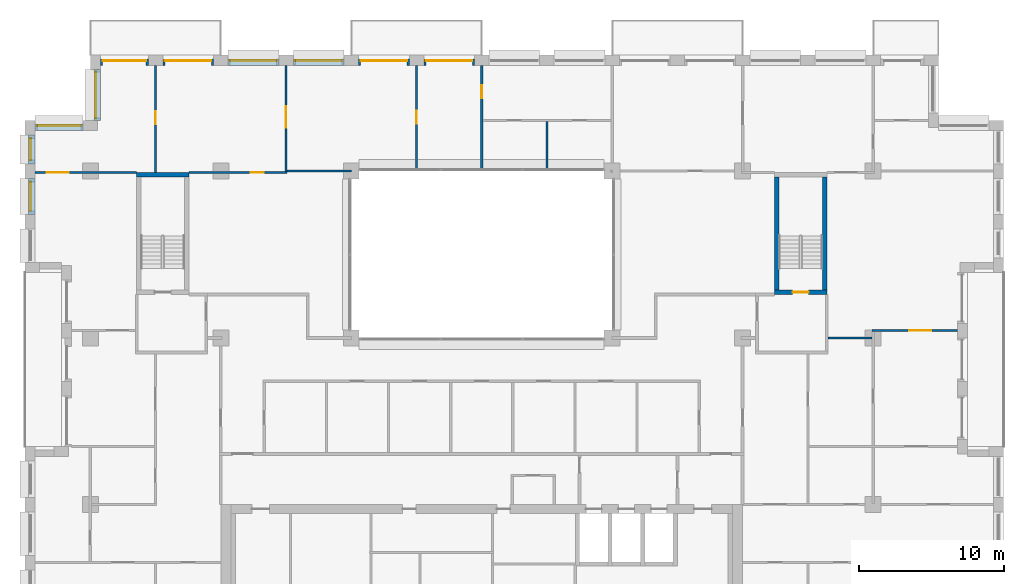
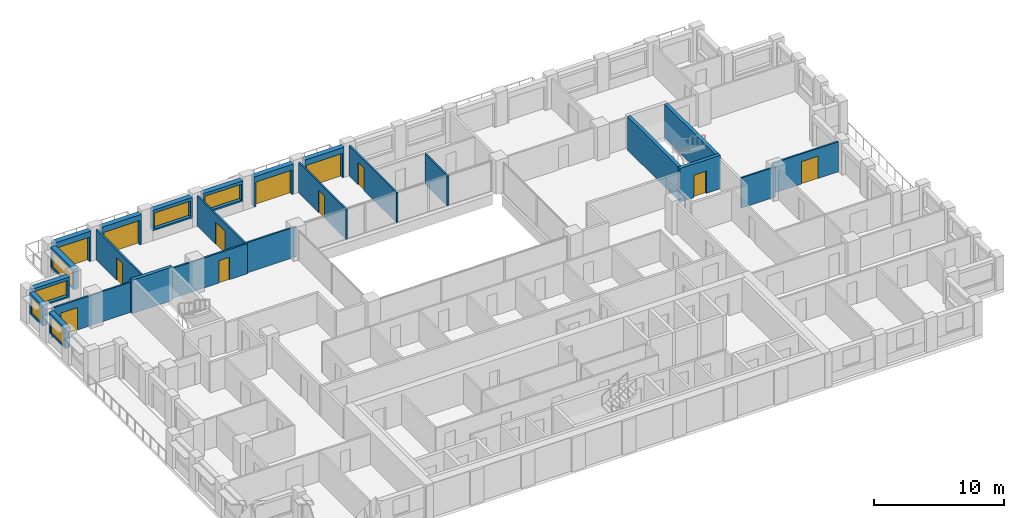
# One storey, part 12 of 15: 24 walls, 12 doors, 6 windows, 18 openings.
"""IFC4 building model written with IfcOpenShell, lengths in metres."""

import ifcopenshell
import ifcopenshell.guid

model = None  # the IFC model being written
_history = None  # IfcOwnerHistory: only IFC2X3 demands one
_inside = {}  # id of a spatial element -> (the spatial element, [elements in it])
_under = {}  # id of a project, library or spatial element -> (it, [spatial elements below it])
_declared = {}  # id of a project -> (the project, [libraries it declares])
_typed = {}  # id of a type object -> (the type object, [elements of that type])
_made_of = {}  # id of a material, layer set ... -> (it, [elements and type objects made of it])


def new_model(schema):
    """Start an empty IFC model of exactly this schema.

    Asked for "IFC4X3", IfcOpenShell would pick the latest addendum, in which some entities
    have other attributes; the version numbers below select the first issue.
    IFC2X3 requires an IfcOwnerHistory on every rooted entity: one is made here for all.
    """
    global model, _history
    if schema == "IFC4X3":
        model = ifcopenshell.file(schema_version=(4, 3, 0, 0))
    else:
        model = ifcopenshell.file(schema=schema)
    _inside.clear()
    _under.clear()
    _declared.clear()
    _typed.clear()
    _made_of.clear()
    _history = None
    if model.schema == "IFC2X3":
        org = make("IfcOrganization", Name="unknown")
        user = make(
            "IfcPersonAndOrganization",
            ThePerson=make("IfcPerson", FamilyName="unknown"),
            TheOrganization=org,
        )
        app = make(
            "IfcApplication",
            ApplicationDeveloper=org,
            Version="unknown",
            ApplicationFullName="unknown",
            ApplicationIdentifier="unknown",
        )
        _history = make(
            "IfcOwnerHistory",
            OwningUser=user,
            OwningApplication=app,
            ChangeAction="ADDED",
            CreationDate=0,
        )
    return model


def make(cls, **values):
    """One entity of the class cls with the attributes given. An attribute that is None is left unset."""
    return model.create_entity(
        cls, **{name: value for name, value in values.items() if value is not None}
    )


def rooted(cls, **values):
    """An entity with a GlobalId (a new one), such as an element, a storey or a relation."""
    return make(cls, GlobalId=ifcopenshell.guid.new(), OwnerHistory=_history, **values)


def si_unit(unit_type, name, prefix=None):
    """IfcSIUnit, for example si_unit("LENGTHUNIT", "METRE", prefix="MILLI")."""
    return make("IfcSIUnit", UnitType=unit_type, Prefix=prefix, Name=name)


def assignment(units):
    """IfcUnitAssignment: the units of a project."""
    return None if units is None else make("IfcUnitAssignment", Units=units)


def point(xyz):
    """IfcCartesianPoint."""
    return None if xyz is None else make("IfcCartesianPoint", Coordinates=xyz)


def direction(xyz):
    """IfcDirection."""
    return None if xyz is None else make("IfcDirection", DirectionRatios=xyz)


def frame(location, z_axis=None, x_axis=None):
    """IfcAxis2Placement3D, a coordinate frame: its origin and axes. An axis left out is left unset."""
    return make(
        "IfcAxis2Placement3D",
        Location=point(location),
        Axis=direction(z_axis),
        RefDirection=direction(x_axis),
    )


def frame_2d(location, x_axis=None):
    """IfcAxis2Placement2D, a coordinate frame in the plane: its origin and x axis."""
    return make(
        "IfcAxis2Placement2D", Location=point(location), RefDirection=direction(x_axis)
    )


def origin():
    """The frame at (0, 0, 0) with its axes left unset."""
    return frame((0.0, 0.0, 0.0))


def place(relative_to, where):
    """IfcLocalPlacement: puts the frame where relative to a parent placement (None: the world)."""
    return make(
        "IfcLocalPlacement", PlacementRelTo=relative_to, RelativePlacement=where
    )


def context(
    kind, dimensions, precision=None, world=None, true_north=None, identifier=None
):
    """IfcGeometricRepresentationContext, for example the 3D "Model" context."""
    return make(
        "IfcGeometricRepresentationContext",
        ContextIdentifier=identifier,
        ContextType=kind,
        CoordinateSpaceDimension=dimensions,
        Precision=precision,
        WorldCoordinateSystem=world,
        TrueNorth=true_north,
    )


def subcontext(parent, identifier, kind, view, scale=None):
    """IfcGeometricRepresentationSubContext, for example "Body" below "Model"."""
    return make(
        "IfcGeometricRepresentationSubContext",
        ContextIdentifier=identifier,
        ContextType=kind,
        ParentContext=parent,
        TargetScale=scale,
        TargetView=view,
    )


def project(units=None, contexts=None):
    """IfcProject with its units and contexts."""
    return rooted(
        "IfcProject",
        Name="project",
        RepresentationContexts=contexts,
        UnitsInContext=assignment(units),
    )


def spatial(cls, under=None, at=None, **own):
    """A site, building, storey or space (cls), placed at a placement, below another one or the project."""
    s = rooted(cls, ObjectPlacement=at, **own)
    if under is not None:
        _under.setdefault(under.id(), (under, []))[1].append(s)
    return s


def profile(cls, at=None, kind="AREA", **sizes):
    """A parametric profile (cls). Its sizes go by their IFC names, for example OverallWidth=200.0."""
    return make(cls, ProfileType=kind, Position=at, **sizes)


def rectangle(**sizes):
    """IfcRectangleProfileDef."""
    return profile("IfcRectangleProfileDef", **sizes)


def extrude(swept, where, along, depth):
    """IfcExtrudedAreaSolid: the profile swept, set in the frame where, extruded along a direction by depth."""
    return make(
        "IfcExtrudedAreaSolid",
        SweptArea=swept,
        Position=where,
        ExtrudedDirection=direction(along),
        Depth=depth,
    )


def shape(context_of_items, identifier, shape_type, items):
    """IfcShapeRepresentation: the items that make up one representation, for example the "Body"."""
    return make(
        "IfcShapeRepresentation",
        ContextOfItems=context_of_items,
        RepresentationIdentifier=identifier,
        RepresentationType=shape_type,
        Items=items,
    )


def material(Name=None, Category=None):
    """IfcMaterial."""
    return make("IfcMaterial", Name=Name, Category=Category)


def layer(
    of_material, thickness, ventilated=None, Name=None, Category=None, Priority=None
):
    """IfcMaterialLayer: one layer of a wall or slab, of a material (None: an air gap)."""
    return make(
        "IfcMaterialLayer",
        Material=of_material,
        LayerThickness=thickness,
        IsVentilated=ventilated,
        Name=Name,
        Category=Category,
        Priority=Priority,
    )


def layer_set(layers, Name=None):
    """IfcMaterialLayerSet."""
    return make("IfcMaterialLayerSet", MaterialLayers=layers, LayerSetName=Name)


def made_of(thing, what):
    """Note that an element or type object is made of a material, layer set ...; save() writes the relation."""
    if what is not None:
        _made_of.setdefault(what.id(), (what, []))[1].append(thing)
    return thing


def type_object(cls, material=None, **own):
    """A type object (cls), such as IfcWallType, which elements share."""
    return made_of(rooted(cls, **own), material)


def element(
    cls,
    number,
    at=None,
    inside=None,
    cuts=None,
    type_object=None,
    material=None,
    context=None,
    identifier="Body",
    shape_type=None,
    held_by="IfcProductDefinitionShape",
    body=None,
    shapes=None,
    **own,
):
    """One element of the class cls, such as IfcWall. Its Tag is "e" and its number.

    at: its placement. inside: the storey or other place that contains it. cuts: it is an
    opening in that element (IfcRelVoidsElement). A single representation is given by context,
    identifier, shape_type and body (its items); several are given by shapes. held_by: the class
    of the entity that holds the representations. save() writes the other relations.
    """
    e = rooted(cls, Tag="e%d" % number, ObjectPlacement=at, **own)
    if body is not None:
        shapes = [shape(context, identifier, shape_type, body)]
    if shapes is not None:
        e.Representation = make(held_by, Representations=shapes)
    if inside is not None:
        _inside.setdefault(inside.id(), (inside, []))[1].append(e)
    if cuts is not None:
        rooted(
            "IfcRelVoidsElement", RelatingBuildingElement=cuts, RelatedOpeningElement=e
        )
    if type_object is not None:
        _typed.setdefault(type_object.id(), (type_object, []))[1].append(e)
    return made_of(e, material)


def fill(opening, filler):
    """IfcRelFillsElement: the door or window that sits in an opening."""
    return rooted(
        "IfcRelFillsElement",
        RelatingOpeningElement=opening,
        RelatedBuildingElement=filler,
    )


def aggregate(whole, parts):
    """IfcRelAggregates: a whole, such as a stair, and the parts it consists of."""
    return rooted("IfcRelAggregates", RelatingObject=whole, RelatedObjects=parts)


def save(model, path):
    """Write the relations noted so far, then the file.

    IfcRelAggregates (storeys below a building ...), IfcRelContainedInSpatialStructure (elements
    in a storey), IfcRelDefinesByType, IfcRelAssociatesMaterial and IfcRelDeclares: one each for
    every whole, place, type object, material and project.
    """
    for whole, parts in _under.values():
        aggregate(whole, parts)
    for where, things in _inside.values():
        rooted(
            "IfcRelContainedInSpatialStructure",
            RelatedElements=things,
            RelatingStructure=where,
        )
    for kind, things in _typed.values():
        rooted("IfcRelDefinesByType", RelatedObjects=things, RelatingType=kind)
    for what, things in _made_of.values():
        rooted("IfcRelAssociatesMaterial", RelatedObjects=things, RelatingMaterial=what)
    for by, libraries in _declared.values():
        rooted("IfcRelDeclares", RelatingContext=by, RelatedDefinitions=libraries)
    model.write(path)


model = new_model("IFC4")

# Units and contexts
model_context = context("Model", 3, precision=1e-05, world=origin(), true_north=direction((0.0, 1.0)))
body_context = subcontext(model_context, "Body", "Model", "MODEL_VIEW")
ifc_project = project(units=[si_unit("LENGTHUNIT", "METRE"), si_unit("AREAUNIT", "SQUARE_METRE"), si_unit("VOLUMEUNIT", "CUBIC_METRE"), si_unit("PLANEANGLEUNIT", "RADIAN"), si_unit("MASSUNIT", "GRAM", prefix="KILO")], contexts=[model_context])

# Site, building, storey
site_placement = place(None, origin())
site = spatial("IfcSite", under=ifc_project, at=site_placement, CompositionType="ELEMENT")
building_placement = place(site_placement, origin())
building = spatial("IfcBuilding", under=site, at=building_placement, Name="Brigalow Station Residences", CompositionType="ELEMENT")
storey_placement = place(building_placement, frame((0.0, 0.0, 172.800048828125)))
storey = spatial("IfcBuildingStorey", under=building, at=storey_placement, Name="L50", CompositionType="ELEMENT", Elevation=172.800048828125)

# Wall, opening, door
ifc_material_1 = material(Name="Clay brick masonry", Category="masonry")
ifc_layer_1 = layer(ifc_material_1, 0.449951171875)
ifc_layer_set_1 = layer_set([ifc_layer_1], Name="BRICK INFILL WALL 450")
wall_type_1 = type_object("IfcWallType", Name="BRICK INFILL WALL 450", PredefinedType="SOLIDWALL", material=ifc_layer_set_1)
wall_1_placement = place(storey_placement, frame((35.5, 43.02490234375, 0.0), z_axis=(0.0, 0.0, 1.0), x_axis=(-1.0, 0.0, 0.0)))
wall_1 = element("IfcWall", 1, at=wall_1_placement, inside=storey, type_object=wall_type_1, Name="L50/ewall/W-L50-29", PredefinedType="SOLIDWALL", context=body_context, shape_type="SweptSolid", body=[
    extrude(rectangle(XDim=3.5, YDim=0.449951171875, at=frame_2d((1.75, 0.0))), origin(), (0.0, 0.0, 1.0), 2.829833984375),
])
opening_1_placement = place(wall_1_placement, frame((0.14990234375, 0.0, 0.0)))
opening_1 = element("IfcOpeningElement", 2, at=opening_1_placement, cuts=wall_1, Name="Opening D-B3200", PredefinedType="OPENING", context=body_context, shape_type="SweptSolid", body=[
    extrude(rectangle(XDim=3.199951171875, YDim=2.300048828125, at=frame_2d((1.60009765625, 1.14990234375))), frame((0.0, 0.23486328125, 0.0), z_axis=(0.0, -1.0, 0.0), x_axis=(1.0, 0.0, 0.0)), (0.0, 0.0, 1.0), 0.469970703125),
])
ifc_material_2 = material(Name="Anodised aluminium frame with double glazing", Category="aluminium")
door_type_1 = type_object("IfcDoorType", Name="BALCONY SLIDING DOOR 3200x2300", OperationType="SLIDING_TO_LEFT", PredefinedType="DOOR", material=ifc_material_2)
door_1_placement = place(opening_1_placement, origin())
door_1 = element("IfcDoor", 3, at=door_1_placement, inside=storey, type_object=door_type_1, Name="L50/balcony-door/W-L50-29", OperationType="SLIDING_TO_LEFT", OverallHeight=2.300048828125, OverallWidth=3.199951171875, PredefinedType="DOOR", context=body_context, shape_type="SweptSolid", body=[
    extrude(rectangle(XDim=3.199951171875, YDim=2.300048828125, at=frame_2d((1.60009765625, 1.14990234375))), frame((0.0, -0.06982421875, 0.0), z_axis=(0.0, -1.0, 0.0), x_axis=(1.0, 0.0, 0.0)), (0.0, 0.0, 1.0), 0.050048828125),
])
fill(opening_1, door_1)

wall_2_placement = place(storey_placement, frame((31.0, 43.02490234375, 0.0), z_axis=(0.0, 0.0, 1.0), x_axis=(-1.0, 0.0, 0.0)))
wall_2 = element("IfcWall", 4, at=wall_2_placement, inside=storey, type_object=wall_type_1, Name="L50/ewall/W-L50-30", PredefinedType="SOLIDWALL", context=body_context, shape_type="SweptSolid", body=[
    extrude(rectangle(XDim=3.5, YDim=0.449951171875, at=frame_2d((1.75, 0.0))), origin(), (0.0, 0.0, 1.0), 2.829833984375),
])
opening_2_placement = place(wall_2_placement, frame((0.14990234375, 0.0, 0.0)))
opening_2 = element("IfcOpeningElement", 5, at=opening_2_placement, cuts=wall_2, Name="Opening D-B3200", PredefinedType="OPENING", context=body_context, shape_type="SweptSolid", body=[
    extrude(rectangle(XDim=3.199951171875, YDim=2.300048828125, at=frame_2d((1.60009765625, 1.14990234375))), frame((0.0, 0.23486328125, 0.0), z_axis=(0.0, -1.0, 0.0), x_axis=(1.0, 0.0, 0.0)), (0.0, 0.0, 1.0), 0.469970703125),
])
door_2_placement = place(opening_2_placement, origin())
door_2 = element("IfcDoor", 6, at=door_2_placement, inside=storey, type_object=door_type_1, Name="L50/balcony-door/W-L50-30", OperationType="SLIDING_TO_LEFT", OverallHeight=2.300048828125, OverallWidth=3.199951171875, PredefinedType="DOOR", context=body_context, shape_type="SweptSolid", body=[
    extrude(rectangle(XDim=3.199951171875, YDim=2.300048828125, at=frame_2d((1.60009765625, 1.14990234375))), frame((0.0, -0.06982421875, 0.0), z_axis=(0.0, -1.0, 0.0), x_axis=(1.0, 0.0, 0.0)), (0.0, 0.0, 1.0), 0.050048828125),
])
fill(opening_2, door_2)

# Wall, opening, window
wall_3_placement = place(storey_placement, frame((26.5, 43.02490234375, 0.89990234375), z_axis=(0.0, 0.0, 1.0), x_axis=(-1.0, 0.0, 0.0)))
wall_3 = element("IfcWall", 7, at=wall_3_placement, inside=storey, type_object=wall_type_1, Name="L50/ewall/W-L50-31", PredefinedType="SOLIDWALL", context=body_context, shape_type="SweptSolid", body=[
    extrude(rectangle(XDim=3.5, YDim=0.449951171875, at=frame_2d((1.75, 0.0))), origin(), (0.0, 0.0, 1.0), 1.929931640625),
])
opening_3_placement = place(wall_3_placement, frame((0.14990234375, 0.0, 0.14990234375)))
opening_3 = element("IfcOpeningElement", 8, at=opening_3_placement, cuts=wall_3, Name="Opening WT-9", PredefinedType="OPENING", context=body_context, shape_type="SweptSolid", body=[
    extrude(rectangle(XDim=3.199951171875, YDim=1.5, at=frame_2d((1.60009765625, 0.75))), frame((0.0, 0.23486328125, 0.0), z_axis=(0.0, -1.0, 0.0), x_axis=(1.0, 0.0, 0.0)), (0.0, 0.0, 1.0), 0.469970703125),
])
ifc_material_3 = material(Name="Anodised aluminium frame with double glazing", Category="aluminium")
window_type_1 = type_object("IfcWindowType", Name="WINDOW 3200x1500", PartitioningType="SINGLE_PANEL", PredefinedType="WINDOW", material=ifc_material_3)
window_1_placement = place(opening_3_placement, origin())
window_1 = element("IfcWindow", 9, at=window_1_placement, inside=storey, type_object=window_type_1, Name="L50/window/W-L50-31", OverallHeight=1.5, OverallWidth=3.199951171875, PartitioningType="SINGLE_PANEL", PredefinedType="WINDOW", context=body_context, shape_type="SweptSolid", body=[
    extrude(rectangle(XDim=3.199951171875, YDim=1.5, at=frame_2d((1.60009765625, 0.75))), frame((0.0, -0.06494140625, 0.0), z_axis=(0.0, -1.0, 0.0), x_axis=(1.0, 0.0, 0.0)), (0.0, 0.0, 1.0), 0.06005859375),
])
fill(opening_3, window_1)

wall_4_placement = place(storey_placement, frame((22.0, 43.02490234375, 0.89990234375), z_axis=(0.0, 0.0, 1.0), x_axis=(-1.0, 0.0, 0.0)))
wall_4 = element("IfcWall", 10, at=wall_4_placement, inside=storey, type_object=wall_type_1, Name="L50/ewall/W-L50-32", PredefinedType="SOLIDWALL", context=body_context, shape_type="SweptSolid", body=[
    extrude(rectangle(XDim=3.5, YDim=0.449951171875, at=frame_2d((1.75, 0.0))), origin(), (0.0, 0.0, 1.0), 1.929931640625),
])
opening_4_placement = place(wall_4_placement, frame((0.14990234375, 0.0, 0.14990234375)))
opening_4 = element("IfcOpeningElement", 11, at=opening_4_placement, cuts=wall_4, Name="Opening WT-9", PredefinedType="OPENING", context=body_context, shape_type="SweptSolid", body=[
    extrude(rectangle(XDim=3.199951171875, YDim=1.5, at=frame_2d((1.60009765625, 0.75))), frame((0.0, 0.23486328125, 0.0), z_axis=(0.0, -1.0, 0.0), x_axis=(1.0, 0.0, 0.0)), (0.0, 0.0, 1.0), 0.469970703125),
])
window_2_placement = place(opening_4_placement, origin())
window_2 = element("IfcWindow", 12, at=window_2_placement, inside=storey, type_object=window_type_1, Name="L50/window/W-L50-32", OverallHeight=1.5, OverallWidth=3.199951171875, PartitioningType="SINGLE_PANEL", PredefinedType="WINDOW", context=body_context, shape_type="SweptSolid", body=[
    extrude(rectangle(XDim=3.199951171875, YDim=1.5, at=frame_2d((1.60009765625, 0.75))), frame((0.0, -0.06494140625, 0.0), z_axis=(0.0, -1.0, 0.0), x_axis=(1.0, 0.0, 0.0)), (0.0, 0.0, 1.0), 0.06005859375),
])
fill(opening_4, window_2)

# Wall, opening, door
wall_5_placement = place(storey_placement, frame((17.5, 43.02490234375, 0.0), z_axis=(0.0, 0.0, 1.0), x_axis=(-1.0, 0.0, 0.0)))
wall_5 = element("IfcWall", 13, at=wall_5_placement, inside=storey, type_object=wall_type_1, Name="L50/ewall/W-L50-33", PredefinedType="SOLIDWALL", context=body_context, shape_type="SweptSolid", body=[
    extrude(rectangle(XDim=3.5, YDim=0.449951171875, at=frame_2d((1.75, 0.0))), origin(), (0.0, 0.0, 1.0), 2.829833984375),
])
opening_5_placement = place(wall_5_placement, frame((0.14990234375, 0.0, 0.0)))
opening_5 = element("IfcOpeningElement", 14, at=opening_5_placement, cuts=wall_5, Name="Opening D-B3200", PredefinedType="OPENING", context=body_context, shape_type="SweptSolid", body=[
    extrude(rectangle(XDim=3.199951171875, YDim=2.300048828125, at=frame_2d((1.60009765625, 1.14990234375))), frame((0.0, 0.23486328125, 0.0), z_axis=(0.0, -1.0, 0.0), x_axis=(1.0, 0.0, 0.0)), (0.0, 0.0, 1.0), 0.469970703125),
])
door_3_placement = place(opening_5_placement, origin())
door_3 = element("IfcDoor", 15, at=door_3_placement, inside=storey, type_object=door_type_1, Name="L50/balcony-door/W-L50-33", OperationType="SLIDING_TO_LEFT", OverallHeight=2.300048828125, OverallWidth=3.199951171875, PredefinedType="DOOR", context=body_context, shape_type="SweptSolid", body=[
    extrude(rectangle(XDim=3.199951171875, YDim=2.300048828125, at=frame_2d((1.60009765625, 1.14990234375))), frame((0.0, -0.06982421875, 0.0), z_axis=(0.0, -1.0, 0.0), x_axis=(1.0, 0.0, 0.0)), (0.0, 0.0, 1.0), 0.050048828125),
])
fill(opening_5, door_3)

wall_6_placement = place(storey_placement, frame((13.0, 43.02490234375, 0.0), z_axis=(0.0, 0.0, 1.0), x_axis=(-1.0, 0.0, 0.0)))
wall_6 = element("IfcWall", 16, at=wall_6_placement, inside=storey, type_object=wall_type_1, Name="L50/ewall/W-L50-34", PredefinedType="SOLIDWALL", context=body_context, shape_type="SweptSolid", body=[
    extrude(rectangle(XDim=3.300048828125, YDim=0.449951171875, at=frame_2d((1.64990234375, 0.0))), origin(), (0.0, 0.0, 1.0), 2.829833984375),
])
opening_6_placement = place(wall_6_placement, frame((0.14990234375, 0.0, 0.0)))
opening_6 = element("IfcOpeningElement", 17, at=opening_6_placement, cuts=wall_6, Name="Opening D-B3000", PredefinedType="OPENING", context=body_context, shape_type="SweptSolid", body=[
    extrude(rectangle(XDim=3.0, YDim=2.300048828125, at=frame_2d((1.5, 1.14990234375))), frame((0.0, 0.23486328125, 0.0), z_axis=(0.0, -1.0, 0.0), x_axis=(1.0, 0.0, 0.0)), (0.0, 0.0, 1.0), 0.469970703125),
])
ifc_material_4 = material(Name="Anodised aluminium frame with double glazing", Category="aluminium")
door_type_2 = type_object("IfcDoorType", Name="BALCONY SLIDING DOOR 3000x2300", OperationType="SLIDING_TO_LEFT", PredefinedType="DOOR", material=ifc_material_4)
door_4_placement = place(opening_6_placement, origin())
door_4 = element("IfcDoor", 18, at=door_4_placement, inside=storey, type_object=door_type_2, Name="L50/balcony-door/W-L50-34", OperationType="SLIDING_TO_LEFT", OverallHeight=2.300048828125, OverallWidth=3.0, PredefinedType="DOOR", context=body_context, shape_type="SweptSolid", body=[
    extrude(rectangle(XDim=3.0, YDim=2.300048828125, at=frame_2d((1.5, 1.14990234375))), frame((0.0, -0.06982421875, 0.0), z_axis=(0.0, -1.0, 0.0), x_axis=(1.0, 0.0, 0.0)), (0.0, 0.0, 1.0), 0.050048828125),
])
fill(opening_6, door_4)

# Wall, opening, window
wall_7_placement = place(storey_placement, frame((9.47509765625, 42.5, 0.89990234375), z_axis=(0.0, 0.0, 1.0), x_axis=(0.0, -1.0, 0.0)))
wall_7 = element("IfcWall", 19, at=wall_7_placement, inside=storey, type_object=wall_type_1, Name="L50/ewall/W-L50-35", PredefinedType="SOLIDWALL", context=body_context, shape_type="SweptSolid", body=[
    extrude(rectangle(XDim=3.5, YDim=0.449951171875, at=frame_2d((1.75, 0.0))), origin(), (0.0, 0.0, 1.0), 1.929931640625),
])
opening_7_placement = place(wall_7_placement, frame((0.14990234375, 0.0, 0.14990234375)))
opening_7 = element("IfcOpeningElement", 20, at=opening_7_placement, cuts=wall_7, Name="Opening WT-9", PredefinedType="OPENING", context=body_context, shape_type="SweptSolid", body=[
    extrude(rectangle(XDim=3.199951171875, YDim=1.5, at=frame_2d((1.60009765625, 0.75))), frame((0.0, 0.23486328125, 0.0), z_axis=(0.0, -1.0, 0.0), x_axis=(1.0, 0.0, 0.0)), (0.0, 0.0, 1.0), 0.469970703125),
])
window_3_placement = place(opening_7_placement, origin())
window_3 = element("IfcWindow", 21, at=window_3_placement, inside=storey, type_object=window_type_1, Name="L50/window/W-L50-35", OverallHeight=1.5, OverallWidth=3.199951171875, PartitioningType="SINGLE_PANEL", PredefinedType="WINDOW", context=body_context, shape_type="SweptSolid", body=[
    extrude(rectangle(XDim=3.199951171875, YDim=1.5, at=frame_2d((1.60009765625, 0.75))), frame((0.0, -0.06494140625, 0.0), z_axis=(0.0, -1.0, 0.0), x_axis=(1.0, 0.0, 0.0)), (0.0, 0.0, 1.0), 0.06005859375),
])
fill(opening_7, window_3)

wall_8_placement = place(storey_placement, frame((8.5, 38.52490234375, 0.89990234375), z_axis=(0.0, 0.0, 1.0), x_axis=(-1.0, 0.0, 0.0)))
wall_8 = element("IfcWall", 22, at=wall_8_placement, inside=storey, type_object=wall_type_1, Name="L50/ewall/W-L50-36", PredefinedType="SOLIDWALL", context=body_context, shape_type="SweptSolid", body=[
    extrude(rectangle(XDim=3.300048828125, YDim=0.449951171875, at=frame_2d((1.64990234375, 0.0))), origin(), (0.0, 0.0, 1.0), 1.929931640625),
])
opening_8_placement = place(wall_8_placement, frame((0.14990234375, 0.0, 0.14990234375)))
opening_8 = element("IfcOpeningElement", 23, at=opening_8_placement, cuts=wall_8, Name="Opening WT-2", PredefinedType="OPENING", context=body_context, shape_type="SweptSolid", body=[
    extrude(rectangle(XDim=3.0, YDim=1.5, at=frame_2d((1.5, 0.75))), frame((0.0, 0.23486328125, 0.0), z_axis=(0.0, -1.0, 0.0), x_axis=(1.0, 0.0, 0.0)), (0.0, 0.0, 1.0), 0.469970703125),
])
ifc_material_5 = material(Name="Anodised aluminium frame with double glazing", Category="aluminium")
window_type_2 = type_object("IfcWindowType", Name="WINDOW 3000x1500", PartitioningType="SINGLE_PANEL", PredefinedType="WINDOW", material=ifc_material_5)
window_4_placement = place(opening_8_placement, origin())
window_4 = element("IfcWindow", 24, at=window_4_placement, inside=storey, type_object=window_type_2, Name="L50/window/W-L50-36", OverallHeight=1.5, OverallWidth=3.0, PartitioningType="SINGLE_PANEL", PredefinedType="WINDOW", context=body_context, shape_type="SweptSolid", body=[
    extrude(rectangle(XDim=3.0, YDim=1.5, at=frame_2d((1.5, 0.75))), frame((0.0, -0.06494140625, 0.0), z_axis=(0.0, -1.0, 0.0), x_axis=(1.0, 0.0, 0.0)), (0.0, 0.0, 1.0), 0.06005859375),
])
fill(opening_8, window_4)

wall_9_placement = place(storey_placement, frame((4.97509765625, 38.0, 0.89990234375), z_axis=(0.0, 0.0, 1.0), x_axis=(0.0, -1.0, 0.0)))
wall_9 = element("IfcWall", 25, at=wall_9_placement, inside=storey, type_object=wall_type_1, Name="L50/ewall/W-L50-37", PredefinedType="SOLIDWALL", context=body_context, shape_type="SweptSolid", body=[
    extrude(rectangle(XDim=2.0, YDim=0.449951171875, at=frame_2d((1.0, 0.0))), origin(), (0.0, 0.0, 1.0), 1.929931640625),
])
opening_9_placement = place(wall_9_placement, frame((0.25, 0.0, 0.14990234375)))
opening_9 = element("IfcOpeningElement", 26, at=opening_9_placement, cuts=wall_9, Name="Opening WT-1", PredefinedType="OPENING", context=body_context, shape_type="SweptSolid", body=[
    extrude(rectangle(XDim=1.5, YDim=1.5, at=frame_2d((0.75, 0.75))), frame((0.0, 0.23486328125, 0.0), z_axis=(0.0, -1.0, 0.0), x_axis=(1.0, 0.0, 0.0)), (0.0, 0.0, 1.0), 0.469970703125),
])
ifc_material_6 = material(Name="Anodised aluminium frame with double glazing", Category="aluminium")
window_type_3 = type_object("IfcWindowType", Name="WINDOW 1500x1500", PartitioningType="SINGLE_PANEL", PredefinedType="WINDOW", material=ifc_material_6)
window_5_placement = place(opening_9_placement, origin())
window_5 = element("IfcWindow", 27, at=window_5_placement, inside=storey, type_object=window_type_3, Name="L50/window/W-L50-37", OverallHeight=1.5, OverallWidth=1.5, PartitioningType="SINGLE_PANEL", PredefinedType="WINDOW", context=body_context, shape_type="SweptSolid", body=[
    extrude(rectangle(XDim=1.5, YDim=1.5, at=frame_2d((0.75, 0.75))), frame((0.0, -0.06494140625, 0.0), z_axis=(0.0, -1.0, 0.0), x_axis=(1.0, 0.0, 0.0)), (0.0, 0.0, 1.0), 0.06005859375),
])
fill(opening_9, window_5)

wall_10_placement = place(storey_placement, frame((4.97509765625, 35.0, 0.89990234375), z_axis=(0.0, 0.0, 1.0), x_axis=(0.0, -1.0, 0.0)))
wall_10 = element("IfcWall", 28, at=wall_10_placement, inside=storey, type_object=wall_type_1, Name="L50/ewall/W-L50-38", PredefinedType="SOLIDWALL", context=body_context, shape_type="SweptSolid", body=[
    extrude(rectangle(XDim=2.5, YDim=0.449951171875, at=frame_2d((1.25, 0.0))), origin(), (0.0, 0.0, 1.0), 1.929931640625),
])
opening_10_placement = place(wall_10_placement, frame((0.25, 0.0, 0.14990234375)))
opening_10 = element("IfcOpeningElement", 29, at=opening_10_placement, cuts=wall_10, Name="Opening WT-7", PredefinedType="OPENING", context=body_context, shape_type="SweptSolid", body=[
    extrude(rectangle(XDim=2.0, YDim=1.5, at=frame_2d((1.0, 0.75))), frame((0.0, 0.23486328125, 0.0), z_axis=(0.0, -1.0, 0.0), x_axis=(1.0, 0.0, 0.0)), (0.0, 0.0, 1.0), 0.469970703125),
])
ifc_material_7 = material(Name="Anodised aluminium frame with double glazing", Category="aluminium")
window_type_4 = type_object("IfcWindowType", Name="WINDOW 2000x1500", PartitioningType="SINGLE_PANEL", PredefinedType="WINDOW", material=ifc_material_7)
window_6_placement = place(opening_10_placement, origin())
window_6 = element("IfcWindow", 30, at=window_6_placement, inside=storey, type_object=window_type_4, Name="L50/window/W-L50-38", OverallHeight=1.5, OverallWidth=2.0, PartitioningType="SINGLE_PANEL", PredefinedType="WINDOW", context=body_context, shape_type="SweptSolid", body=[
    extrude(rectangle(XDim=2.0, YDim=1.5, at=frame_2d((1.0, 0.75))), frame((0.0, -0.06494140625, 0.0), z_axis=(0.0, -1.0, 0.0), x_axis=(1.0, 0.0, 0.0)), (0.0, 0.0, 1.0), 0.06005859375),
])
fill(opening_10, window_6)

# Wall
ifc_material_8 = material(Name="Concrete C65", Category="concrete")
ifc_layer_2 = layer(ifc_material_8, 0.300048828125)
ifc_layer_set_2 = layer_set([ifc_layer_2], Name="CORE SHEAR WALL 300 C65")
wall_type_2 = type_object("IfcWallType", Name="CORE SHEAR WALL 300 C65", PredefinedType="SHEAR", material=ifc_layer_set_2)
wall_11_placement = place(storey_placement, frame((12.199951171875, 35.25, 0.0), z_axis=(0.0, 0.0, 1.0), x_axis=(1.0, 0.0, 0.0)))
element("IfcWall", 31, at=wall_11_placement, inside=storey, type_object=wall_type_2, Name="CORE WALL ST-S1-N L50", PredefinedType="SHEAR", context=body_context, shape_type="SweptSolid", body=[
    extrude(rectangle(XDim=3.60009765625, YDim=0.300048828125, at=frame_2d((1.800048828125, 0.0))), origin(), (0.0, 0.0, 1.0), 3.14990234375),
])

# Wall, opening, door
wall_12_placement = place(storey_placement, frame((56.199951171875, 27.14990234375, 0.0), z_axis=(0.0, 0.0, 1.0), x_axis=(1.0, 0.0, 0.0)))
wall_12 = element("IfcWall", 32, at=wall_12_placement, inside=storey, type_object=wall_type_2, Name="CORE WALL ST-S3-S L50", PredefinedType="SHEAR", context=body_context, shape_type="SweptSolid", body=[
    extrude(rectangle(XDim=3.60009765625, YDim=0.300048828125, at=frame_2d((1.800048828125, 0.0))), origin(), (0.0, 0.0, 1.0), 3.14990234375),
])
opening_11_placement = place(wall_12_placement, frame((1.25, 0.0, 0.0)))
opening_11 = element("IfcOpeningElement", 33, at=opening_11_placement, cuts=wall_12, Name="Opening D-5018", PredefinedType="OPENING", context=body_context, shape_type="SweptSolid", body=[
    extrude(rectangle(XDim=1.10009765625, YDim=2.10009765625, at=frame_2d((0.550048828125, 1.050048828125))), frame((0.0, 0.16015625, 0.0), z_axis=(0.0, -1.0, 0.0), x_axis=(1.0, 0.0, 0.0)), (0.0, 0.0, 1.0), 0.320068359375),
])
ifc_material_9 = material(Name="Steel fire door leaf in steel frame", Category="steel")
door_type_3 = type_object("IfcDoorType", Name="STAIR DOOR 1100 x 2100 FD60S", OperationType="SINGLE_SWING_LEFT", PredefinedType="DOOR", material=ifc_material_9)
door_5_placement = place(opening_11_placement, origin())
door_5 = element("IfcDoor", 34, at=door_5_placement, inside=storey, type_object=door_type_3, Name="D-5018", OperationType="SINGLE_SWING_LEFT", OverallHeight=2.10009765625, OverallWidth=1.10009765625, PredefinedType="DOOR", context=body_context, shape_type="SweptSolid", body=[
    extrude(rectangle(XDim=1.10009765625, YDim=2.10009765625, at=frame_2d((0.550048828125, 1.050048828125))), frame((0.0, 0.02490234375, 0.0), z_axis=(0.0, -1.0, 0.0), x_axis=(1.0, 0.0, 0.0)), (0.0, 0.0, 1.0), 0.050048828125),
])
fill(opening_11, door_5)

# Walls
for number, where, z_axis, x_axis, name in (
    (35, (56.35009765625, 27.300048828125, 0.0), (0.0, 0.0, 1.0), (0.0, 1.0, 0.0), "CORE WALL ST-S3-W L50"),
    (36, (59.64990234375, 27.300048828125, 0.0), (0.0, 0.0, 1.0), (0.0, 1.0, 0.0), "CORE WALL ST-S3-E L50"),
):
    element("IfcWall", number, at=place(storey_placement, frame(where, z_axis=z_axis, x_axis=x_axis)), inside=storey, type_object=wall_type_2, Name=name, PredefinedType="SHEAR", context=body_context, shape_type="SweptSolid", body=[
        extrude(rectangle(XDim=7.800048828125, YDim=0.300048828125, at=frame_2d((3.89990234375, 0.0))), origin(), (0.0, 0.0, 1.0), 3.14990234375),
    ])
ifc_material_10 = material(Name="Plasterboard on steel stud partition", Category="steel")
ifc_layer_3 = layer(ifc_material_10, 0.14990234375)
ifc_layer_set_3 = layer_set([ifc_layer_3], Name="FLAT PARTITION 150")
wall_type_3 = type_object("IfcWallType", Name="FLAT PARTITION 150", PredefinedType="PARTITIONING", material=ifc_layer_set_3)
wall_13_placement = place(storey_placement, frame((59.89990234375, 24.0, 0.0), z_axis=(0.0, 0.0, 1.0), x_axis=(1.0, 0.0, 0.0)))
element("IfcWall", 37, at=wall_13_placement, inside=storey, type_object=wall_type_3, Name="PW-3E01", PredefinedType="PARTITIONING", context=body_context, shape_type="SweptSolid", body=[
    extrude(rectangle(XDim=3.025146484375, YDim=0.14990234375, at=frame_2d((1.5126953125, 0.0))), origin(), (0.0, 0.0, 1.0), 2.829833984375),
])

# Wall, opening, door
wall_14_placement = place(storey_placement, frame((62.925048828125, 24.5, 0.0), z_axis=(0.0, 0.0, 1.0), x_axis=(1.0, 0.0, 0.0)))
wall_14 = element("IfcWall", 38, at=wall_14_placement, inside=storey, type_object=wall_type_3, Name="PW-3E16", PredefinedType="PARTITIONING", context=body_context, shape_type="SweptSolid", body=[
    extrude(rectangle(XDim=5.875, YDim=0.14990234375, at=frame_2d((2.9375, 0.0))), origin(), (0.0, 0.0, 1.0), 2.829833984375),
])
opening_12_placement = place(wall_14_placement, frame((2.574951171875, 0.0, 0.0)))
opening_12 = element("IfcOpeningElement", 39, at=opening_12_placement, cuts=wall_14, Name="Opening D-3E29", PredefinedType="OPENING", context=body_context, shape_type="SweptSolid", body=[
    extrude(rectangle(XDim=1.5, YDim=2.10009765625, at=frame_2d((0.75, 1.050048828125))), frame((0.0, 0.0849609375, 0.0), z_axis=(0.0, -1.0, 0.0), x_axis=(1.0, 0.0, 0.0)), (0.0, 0.0, 1.0), 0.169921875),
])
ifc_material_11 = material(Name="Solid-core timber door leaf", Category="wood")
door_type_4 = type_object("IfcDoorType", Name="INTERNAL DOUBLE DOOR 1500 x 2100", OperationType="DOUBLE_DOOR_SINGLE_SWING", PredefinedType="DOOR", material=ifc_material_11)
door_6_placement = place(opening_12_placement, frame((1.5, 0.0, 0.0), z_axis=(0.0, 0.0, 1.0), x_axis=(-1.0, 0.0, 0.0)))
door_6 = element("IfcDoor", 40, at=door_6_placement, inside=storey, type_object=door_type_4, Name="D-3E29", OperationType="DOUBLE_DOOR_SINGLE_SWING", OverallHeight=2.10009765625, OverallWidth=1.5, PredefinedType="DOOR", context=body_context, shape_type="SweptSolid", body=[
    extrude(rectangle(XDim=1.5, YDim=2.10009765625, at=frame_2d((0.75, 1.050048828125))), frame((0.0, 0.02490234375, 0.0), z_axis=(0.0, -1.0, 0.0), x_axis=(1.0, 0.0, 0.0)), (0.0, 0.0, 1.0), 0.050048828125),
])
fill(opening_12, door_6)

wall_15_placement = place(storey_placement, frame((5.199951171875, 35.39990234375, 0.0), z_axis=(0.0, 0.0, 1.0), x_axis=(1.0, 0.0, 0.0)))
wall_15 = element("IfcWall", 41, at=wall_15_placement, inside=storey, type_object=wall_type_3, Name="PW-3E17", PredefinedType="PARTITIONING", context=body_context, shape_type="SweptSolid", body=[
    extrude(rectangle(XDim=7.0, YDim=0.14990234375, at=frame_2d((3.5, 0.0))), origin(), (0.0, 0.0, 1.0), 2.829833984375),
])
opening_13_placement = place(wall_15_placement, frame((0.800048828125, 0.0, 0.0)))
opening_13 = element("IfcOpeningElement", 42, at=opening_13_placement, cuts=wall_15, Name="Opening D-3E10", PredefinedType="OPENING", context=body_context, shape_type="SweptSolid", body=[
    extrude(rectangle(XDim=1.5, YDim=2.10009765625, at=frame_2d((0.75, 1.050048828125))), frame((0.0, 0.0849609375, 0.0), z_axis=(0.0, -1.0, 0.0), x_axis=(1.0, 0.0, 0.0)), (0.0, 0.0, 1.0), 0.169921875),
])
door_7_placement = place(opening_13_placement, origin())
door_7 = element("IfcDoor", 43, at=door_7_placement, inside=storey, type_object=door_type_4, Name="D-3E10", OperationType="DOUBLE_DOOR_SINGLE_SWING", OverallHeight=2.10009765625, OverallWidth=1.5, PredefinedType="DOOR", context=body_context, shape_type="SweptSolid", body=[
    extrude(rectangle(XDim=1.5, YDim=2.10009765625, at=frame_2d((0.75, 1.050048828125))), frame((0.0, 0.02490234375, 0.0), z_axis=(0.0, -1.0, 0.0), x_axis=(1.0, 0.0, 0.0)), (0.0, 0.0, 1.0), 0.050048828125),
])
fill(opening_13, door_7)

wall_16_placement = place(storey_placement, frame((15.800048828125, 35.39990234375, 0.0), z_axis=(0.0, 0.0, 1.0), x_axis=(1.0, 0.0, 0.0)))
wall_16 = element("IfcWall", 44, at=wall_16_placement, inside=storey, type_object=wall_type_3, Name="PW-3E18", PredefinedType="PARTITIONING", context=body_context, shape_type="SweptSolid", body=[
    extrude(rectangle(XDim=6.77490234375, YDim=0.14990234375, at=frame_2d((3.387451171875, 0.0))), origin(), (0.0, 0.0, 1.0), 2.829833984375),
])
opening_14_placement = place(wall_16_placement, frame((4.27490234375, 0.0, 0.0)))
opening_14 = element("IfcOpeningElement", 45, at=opening_14_placement, cuts=wall_16, Name="Opening D-3E12", PredefinedType="OPENING", context=body_context, shape_type="SweptSolid", body=[
    extrude(rectangle(XDim=0.89990234375, YDim=2.10009765625, at=frame_2d((0.449951171875, 1.050048828125))), frame((0.0, 0.0849609375, 0.0), z_axis=(0.0, -1.0, 0.0), x_axis=(1.0, 0.0, 0.0)), (0.0, 0.0, 1.0), 0.169921875),
])
ifc_material_12 = material(Name="Solid-core timber door leaf", Category="wood")
door_type_5 = type_object("IfcDoorType", Name="INTERNAL DOOR 900 x 2100", OperationType="SINGLE_SWING_LEFT", PredefinedType="DOOR", material=ifc_material_12)
door_8_placement = place(opening_14_placement, frame((0.89990234375, 0.0, 0.0), z_axis=(0.0, 0.0, 1.0), x_axis=(-1.0, 0.0, 0.0)))
door_8 = element("IfcDoor", 46, at=door_8_placement, inside=storey, type_object=door_type_5, Name="D-3E12", OperationType="SINGLE_SWING_RIGHT", OverallHeight=2.10009765625, OverallWidth=0.89990234375, PredefinedType="DOOR", context=body_context, shape_type="SweptSolid", body=[
    extrude(rectangle(XDim=0.89990234375, YDim=2.10009765625, at=frame_2d((0.449951171875, 1.050048828125))), frame((0.0, 0.02490234375, 0.0), z_axis=(0.0, -1.0, 0.0), x_axis=(1.0, 0.0, 0.0)), (0.0, 0.0, 1.0), 0.050048828125),
])
fill(opening_14, door_8)

# Wall
wall_17_placement = place(storey_placement, frame((22.574951171875, 35.5, 0.0), z_axis=(0.0, 0.0, 1.0), x_axis=(1.0, 0.0, 0.0)))
element("IfcWall", 47, at=wall_17_placement, inside=storey, type_object=wall_type_3, Name="PW-3E21", PredefinedType="PARTITIONING", context=body_context, shape_type="SweptSolid", body=[
    extrude(rectangle(XDim=4.425048828125, YDim=0.14990234375, at=frame_2d((2.21240234375, 0.0))), origin(), (0.0, 0.0, 1.0), 2.829833984375),
])

# Wall, opening, door
wall_18_placement = place(storey_placement, frame((13.5, 35.39990234375, 0.0), z_axis=(0.0, 0.0, 1.0), x_axis=(0.0, 1.0, 0.0)))
wall_18 = element("IfcWall", 48, at=wall_18_placement, inside=storey, type_object=wall_type_3, Name="PW-3E37", PredefinedType="PARTITIONING", context=body_context, shape_type="SweptSolid", body=[
    extrude(rectangle(XDim=7.400146484375, YDim=0.14990234375, at=frame_2d((3.7001953125, 0.0))), origin(), (0.0, 0.0, 1.0), 2.829833984375),
])
opening_15_placement = place(wall_18_placement, frame((3.324951171875, 0.0, 0.0)))
opening_15 = element("IfcOpeningElement", 49, at=opening_15_placement, cuts=wall_18, Name="Opening D-3E11", PredefinedType="OPENING", context=body_context, shape_type="SweptSolid", body=[
    extrude(rectangle(XDim=0.89990234375, YDim=2.10009765625, at=frame_2d((0.449951171875, 1.050048828125))), frame((0.0, 0.0849609375, 0.0), z_axis=(0.0, -1.0, 0.0), x_axis=(1.0, 0.0, 0.0)), (0.0, 0.0, 1.0), 0.169921875),
])
door_9_placement = place(opening_15_placement, origin())
door_9 = element("IfcDoor", 50, at=door_9_placement, inside=storey, type_object=door_type_5, Name="D-3E11", OperationType="SINGLE_SWING_RIGHT", OverallHeight=2.10009765625, OverallWidth=0.89990234375, PredefinedType="DOOR", context=body_context, shape_type="SweptSolid", body=[
    extrude(rectangle(XDim=0.89990234375, YDim=2.10009765625, at=frame_2d((0.449951171875, 1.050048828125))), frame((0.0, 0.02490234375, 0.0), z_axis=(0.0, -1.0, 0.0), x_axis=(1.0, 0.0, 0.0)), (0.0, 0.0, 1.0), 0.050048828125),
])
fill(opening_15, door_9)

wall_19_placement = place(storey_placement, frame((22.5, 35.47509765625, 0.0), z_axis=(0.0, 0.0, 1.0), x_axis=(0.0, 1.0, 0.0)))
wall_19 = element("IfcWall", 51, at=wall_19_placement, inside=storey, type_object=wall_type_3, Name="PW-3E39", PredefinedType="PARTITIONING", context=body_context, shape_type="SweptSolid", body=[
    extrude(rectangle(XDim=7.324951171875, YDim=0.14990234375, at=frame_2d((3.66259765625, 0.0))), origin(), (0.0, 0.0, 1.0), 2.829833984375),
])
opening_16_placement = place(wall_19_placement, frame((3.0, 0.0, 0.0)))
opening_16 = element("IfcOpeningElement", 52, at=opening_16_placement, cuts=wall_19, Name="Opening D-3E13", PredefinedType="OPENING", context=body_context, shape_type="SweptSolid", body=[
    extrude(rectangle(XDim=1.5, YDim=2.10009765625, at=frame_2d((0.75, 1.050048828125))), frame((0.0, 0.0849609375, 0.0), z_axis=(0.0, -1.0, 0.0), x_axis=(1.0, 0.0, 0.0)), (0.0, 0.0, 1.0), 0.169921875),
])
door_10_placement = place(opening_16_placement, frame((1.5, 0.0, 0.0), z_axis=(0.0, 0.0, 1.0), x_axis=(-1.0, 0.0, 0.0)))
door_10 = element("IfcDoor", 53, at=door_10_placement, inside=storey, type_object=door_type_4, Name="D-3E13", OperationType="DOUBLE_DOOR_SINGLE_SWING", OverallHeight=2.10009765625, OverallWidth=1.5, PredefinedType="DOOR", context=body_context, shape_type="SweptSolid", body=[
    extrude(rectangle(XDim=1.5, YDim=2.10009765625, at=frame_2d((0.75, 1.050048828125))), frame((0.0, 0.02490234375, 0.0), z_axis=(0.0, -1.0, 0.0), x_axis=(1.0, 0.0, 0.0)), (0.0, 0.0, 1.0), 0.050048828125),
])
fill(opening_16, door_10)

wall_20_placement = place(storey_placement, frame((31.5, 35.5, 0.0), z_axis=(0.0, 0.0, 1.0), x_axis=(0.0, 1.0, 0.0)))
wall_20 = element("IfcWall", 54, at=wall_20_placement, inside=storey, type_object=wall_type_3, Name="PW-3E40", PredefinedType="PARTITIONING", context=body_context, shape_type="SweptSolid", body=[
    extrude(rectangle(XDim=7.300048828125, YDim=0.14990234375, at=frame_2d((3.64990234375, 0.0))), origin(), (0.0, 0.0, 1.0), 2.829833984375),
])
opening_17_placement = place(wall_20_placement, frame((3.27490234375, 0.0, 0.0)))
opening_17 = element("IfcOpeningElement", 55, at=opening_17_placement, cuts=wall_20, Name="Opening D-3E14", PredefinedType="OPENING", context=body_context, shape_type="SweptSolid", body=[
    extrude(rectangle(XDim=0.89990234375, YDim=2.10009765625, at=frame_2d((0.449951171875, 1.050048828125))), frame((0.0, 0.0849609375, 0.0), z_axis=(0.0, -1.0, 0.0), x_axis=(1.0, 0.0, 0.0)), (0.0, 0.0, 1.0), 0.169921875),
])
door_11_placement = place(opening_17_placement, frame((0.89990234375, 0.0, 0.0), z_axis=(0.0, 0.0, 1.0), x_axis=(-1.0, 0.0, 0.0)))
door_11 = element("IfcDoor", 56, at=door_11_placement, inside=storey, type_object=door_type_5, Name="D-3E14", OperationType="SINGLE_SWING_LEFT", OverallHeight=2.10009765625, OverallWidth=0.89990234375, PredefinedType="DOOR", context=body_context, shape_type="SweptSolid", body=[
    extrude(rectangle(XDim=0.89990234375, YDim=2.10009765625, at=frame_2d((0.449951171875, 1.050048828125))), frame((0.0, 0.02490234375, 0.0), z_axis=(0.0, -1.0, 0.0), x_axis=(1.0, 0.0, 0.0)), (0.0, 0.0, 1.0), 0.050048828125),
])
fill(opening_17, door_11)

wall_21_placement = place(storey_placement, frame((36.0, 35.5, 0.0), z_axis=(0.0, 0.0, 1.0), x_axis=(0.0, 1.0, 0.0)))
wall_21 = element("IfcWall", 57, at=wall_21_placement, inside=storey, type_object=wall_type_3, Name="PW-3E41", PredefinedType="PARTITIONING", context=body_context, shape_type="SweptSolid", body=[
    extrude(rectangle(XDim=7.300048828125, YDim=0.14990234375, at=frame_2d((3.64990234375, 0.0))), origin(), (0.0, 0.0, 1.0), 2.829833984375),
])
opening_18_placement = place(wall_21_placement, frame((5.02490234375, 0.0, 0.0)))
opening_18 = element("IfcOpeningElement", 58, at=opening_18_placement, cuts=wall_21, Name="Opening D-3E15", PredefinedType="OPENING", context=body_context, shape_type="SweptSolid", body=[
    extrude(rectangle(XDim=0.89990234375, YDim=2.10009765625, at=frame_2d((0.449951171875, 1.050048828125))), frame((0.0, 0.0849609375, 0.0), z_axis=(0.0, -1.0, 0.0), x_axis=(1.0, 0.0, 0.0)), (0.0, 0.0, 1.0), 0.169921875),
])
door_12_placement = place(opening_18_placement, origin())
door_12 = element("IfcDoor", 59, at=door_12_placement, inside=storey, type_object=door_type_5, Name="D-3E15", OperationType="SINGLE_SWING_RIGHT", OverallHeight=2.10009765625, OverallWidth=0.89990234375, PredefinedType="DOOR", context=body_context, shape_type="SweptSolid", body=[
    extrude(rectangle(XDim=0.89990234375, YDim=2.10009765625, at=frame_2d((0.449951171875, 1.050048828125))), frame((0.0, 0.02490234375, 0.0), z_axis=(0.0, -1.0, 0.0), x_axis=(1.0, 0.0, 0.0)), (0.0, 0.0, 1.0), 0.050048828125),
])
fill(opening_18, door_12)

# Wall
wall_22_placement = place(storey_placement, frame((40.5, 35.5, 0.0), z_axis=(0.0, 0.0, 1.0), x_axis=(0.0, 1.0, 0.0)))
element("IfcWall", 60, at=wall_22_placement, inside=storey, type_object=wall_type_3, Name="PW-3E43", PredefinedType="PARTITIONING", context=body_context, shape_type="SweptSolid", body=[
    extrude(rectangle(XDim=3.425048828125, YDim=0.14990234375, at=frame_2d((1.71240234375, 0.0))), origin(), (0.0, 0.0, 1.0), 2.829833984375),
])

save(model, "model.ifc")
